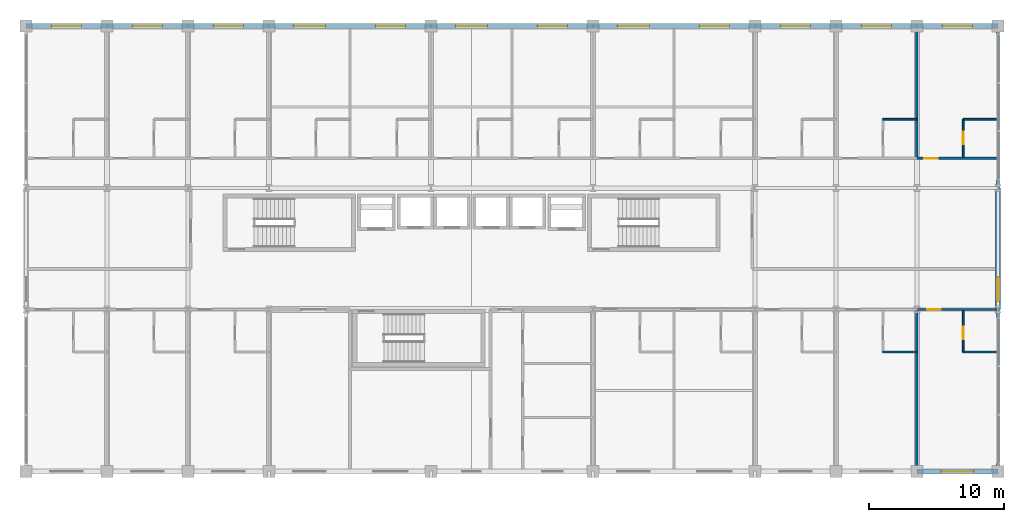
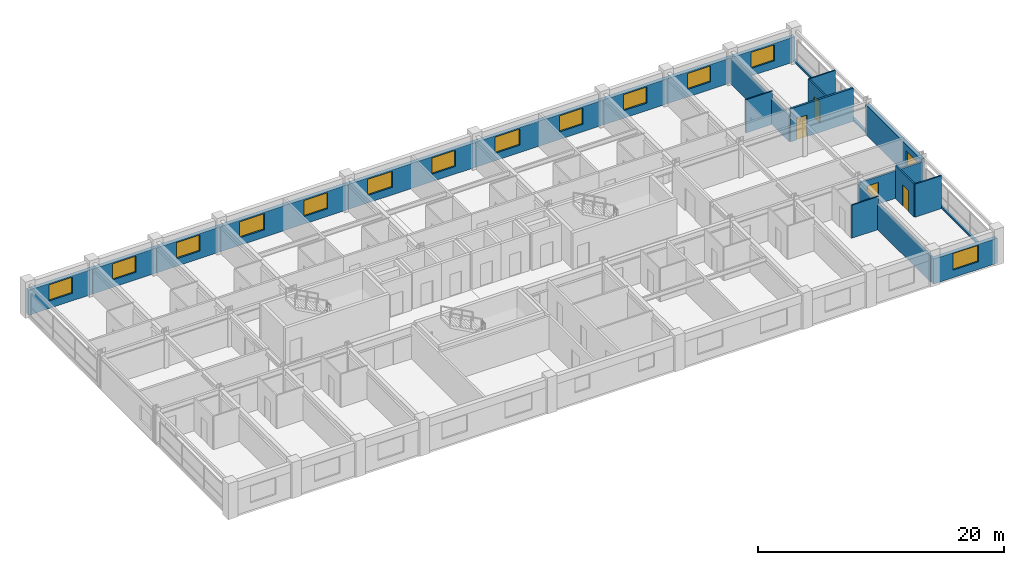
# One storey, part 20 of 22: 23 walls, 14 windows, 4 doors, 18 openings.
"""IFC4 building model written with IfcOpenShell, lengths in metres."""

import ifcopenshell
import ifcopenshell.guid

model = None  # the IFC model being written
_history = None  # IfcOwnerHistory: only IFC2X3 demands one
_inside = {}  # id of a spatial element -> (the spatial element, [elements in it])
_under = {}  # id of a project, library or spatial element -> (it, [spatial elements below it])
_declared = {}  # id of a project -> (the project, [libraries it declares])
_typed = {}  # id of a type object -> (the type object, [elements of that type])
_made_of = {}  # id of a material, layer set ... -> (it, [elements and type objects made of it])


def new_model(schema):
    """Start an empty IFC model of exactly this schema.

    Asked for "IFC4X3", IfcOpenShell would pick the latest addendum, in which some entities
    have other attributes; the version numbers below select the first issue.
    IFC2X3 requires an IfcOwnerHistory on every rooted entity: one is made here for all.
    """
    global model, _history
    if schema == "IFC4X3":
        model = ifcopenshell.file(schema_version=(4, 3, 0, 0))
    else:
        model = ifcopenshell.file(schema=schema)
    _inside.clear()
    _under.clear()
    _declared.clear()
    _typed.clear()
    _made_of.clear()
    _history = None
    if model.schema == "IFC2X3":
        org = make("IfcOrganization", Name="unknown")
        user = make(
            "IfcPersonAndOrganization",
            ThePerson=make("IfcPerson", FamilyName="unknown"),
            TheOrganization=org,
        )
        app = make(
            "IfcApplication",
            ApplicationDeveloper=org,
            Version="unknown",
            ApplicationFullName="unknown",
            ApplicationIdentifier="unknown",
        )
        _history = make(
            "IfcOwnerHistory",
            OwningUser=user,
            OwningApplication=app,
            ChangeAction="ADDED",
            CreationDate=0,
        )
    return model


def make(cls, **values):
    """One entity of the class cls with the attributes given. An attribute that is None is left unset."""
    return model.create_entity(
        cls, **{name: value for name, value in values.items() if value is not None}
    )


def rooted(cls, **values):
    """An entity with a GlobalId (a new one), such as an element, a storey or a relation."""
    return make(cls, GlobalId=ifcopenshell.guid.new(), OwnerHistory=_history, **values)


def si_unit(unit_type, name, prefix=None):
    """IfcSIUnit, for example si_unit("LENGTHUNIT", "METRE", prefix="MILLI")."""
    return make("IfcSIUnit", UnitType=unit_type, Prefix=prefix, Name=name)


def assignment(units):
    """IfcUnitAssignment: the units of a project."""
    return None if units is None else make("IfcUnitAssignment", Units=units)


def point(xyz):
    """IfcCartesianPoint."""
    return None if xyz is None else make("IfcCartesianPoint", Coordinates=xyz)


def direction(xyz):
    """IfcDirection."""
    return None if xyz is None else make("IfcDirection", DirectionRatios=xyz)


def frame(location, z_axis=None, x_axis=None):
    """IfcAxis2Placement3D, a coordinate frame: its origin and axes. An axis left out is left unset."""
    return make(
        "IfcAxis2Placement3D",
        Location=point(location),
        Axis=direction(z_axis),
        RefDirection=direction(x_axis),
    )


def frame_2d(location, x_axis=None):
    """IfcAxis2Placement2D, a coordinate frame in the plane: its origin and x axis."""
    return make(
        "IfcAxis2Placement2D", Location=point(location), RefDirection=direction(x_axis)
    )


def origin():
    """The frame at (0, 0, 0) with its axes left unset."""
    return frame((0.0, 0.0, 0.0))


def place(relative_to, where):
    """IfcLocalPlacement: puts the frame where relative to a parent placement (None: the world)."""
    return make(
        "IfcLocalPlacement", PlacementRelTo=relative_to, RelativePlacement=where
    )


def context(
    kind, dimensions, precision=None, world=None, true_north=None, identifier=None
):
    """IfcGeometricRepresentationContext, for example the 3D "Model" context."""
    return make(
        "IfcGeometricRepresentationContext",
        ContextIdentifier=identifier,
        ContextType=kind,
        CoordinateSpaceDimension=dimensions,
        Precision=precision,
        WorldCoordinateSystem=world,
        TrueNorth=true_north,
    )


def subcontext(parent, identifier, kind, view, scale=None):
    """IfcGeometricRepresentationSubContext, for example "Body" below "Model"."""
    return make(
        "IfcGeometricRepresentationSubContext",
        ContextIdentifier=identifier,
        ContextType=kind,
        ParentContext=parent,
        TargetScale=scale,
        TargetView=view,
    )


def project(units=None, contexts=None):
    """IfcProject with its units and contexts."""
    return rooted(
        "IfcProject",
        Name="project",
        RepresentationContexts=contexts,
        UnitsInContext=assignment(units),
    )


def spatial(cls, under=None, at=None, **own):
    """A site, building, storey or space (cls), placed at a placement, below another one or the project."""
    s = rooted(cls, ObjectPlacement=at, **own)
    if under is not None:
        _under.setdefault(under.id(), (under, []))[1].append(s)
    return s


def profile(cls, at=None, kind="AREA", **sizes):
    """A parametric profile (cls). Its sizes go by their IFC names, for example OverallWidth=200.0."""
    return make(cls, ProfileType=kind, Position=at, **sizes)


def rectangle(**sizes):
    """IfcRectangleProfileDef."""
    return profile("IfcRectangleProfileDef", **sizes)


def extrude(swept, where, along, depth):
    """IfcExtrudedAreaSolid: the profile swept, set in the frame where, extruded along a direction by depth."""
    return make(
        "IfcExtrudedAreaSolid",
        SweptArea=swept,
        Position=where,
        ExtrudedDirection=direction(along),
        Depth=depth,
    )


def shape(context_of_items, identifier, shape_type, items):
    """IfcShapeRepresentation: the items that make up one representation, for example the "Body"."""
    return make(
        "IfcShapeRepresentation",
        ContextOfItems=context_of_items,
        RepresentationIdentifier=identifier,
        RepresentationType=shape_type,
        Items=items,
    )


def material(Name=None, Category=None):
    """IfcMaterial."""
    return make("IfcMaterial", Name=Name, Category=Category)


def layer(
    of_material, thickness, ventilated=None, Name=None, Category=None, Priority=None
):
    """IfcMaterialLayer: one layer of a wall or slab, of a material (None: an air gap)."""
    return make(
        "IfcMaterialLayer",
        Material=of_material,
        LayerThickness=thickness,
        IsVentilated=ventilated,
        Name=Name,
        Category=Category,
        Priority=Priority,
    )


def layer_set(layers, Name=None):
    """IfcMaterialLayerSet."""
    return make("IfcMaterialLayerSet", MaterialLayers=layers, LayerSetName=Name)


def made_of(thing, what):
    """Note that an element or type object is made of a material, layer set ...; save() writes the relation."""
    if what is not None:
        _made_of.setdefault(what.id(), (what, []))[1].append(thing)
    return thing


def type_object(cls, material=None, **own):
    """A type object (cls), such as IfcWallType, which elements share."""
    return made_of(rooted(cls, **own), material)


def element(
    cls,
    number,
    at=None,
    inside=None,
    cuts=None,
    type_object=None,
    material=None,
    context=None,
    identifier="Body",
    shape_type=None,
    held_by="IfcProductDefinitionShape",
    body=None,
    shapes=None,
    **own,
):
    """One element of the class cls, such as IfcWall. Its Tag is "e" and its number.

    at: its placement. inside: the storey or other place that contains it. cuts: it is an
    opening in that element (IfcRelVoidsElement). A single representation is given by context,
    identifier, shape_type and body (its items); several are given by shapes. held_by: the class
    of the entity that holds the representations. save() writes the other relations.
    """
    e = rooted(cls, Tag="e%d" % number, ObjectPlacement=at, **own)
    if body is not None:
        shapes = [shape(context, identifier, shape_type, body)]
    if shapes is not None:
        e.Representation = make(held_by, Representations=shapes)
    if inside is not None:
        _inside.setdefault(inside.id(), (inside, []))[1].append(e)
    if cuts is not None:
        rooted(
            "IfcRelVoidsElement", RelatingBuildingElement=cuts, RelatedOpeningElement=e
        )
    if type_object is not None:
        _typed.setdefault(type_object.id(), (type_object, []))[1].append(e)
    return made_of(e, material)


def fill(opening, filler):
    """IfcRelFillsElement: the door or window that sits in an opening."""
    return rooted(
        "IfcRelFillsElement",
        RelatingOpeningElement=opening,
        RelatedBuildingElement=filler,
    )


def aggregate(whole, parts):
    """IfcRelAggregates: a whole, such as a stair, and the parts it consists of."""
    return rooted("IfcRelAggregates", RelatingObject=whole, RelatedObjects=parts)


def save(model, path):
    """Write the relations noted so far, then the file.

    IfcRelAggregates (storeys below a building ...), IfcRelContainedInSpatialStructure (elements
    in a storey), IfcRelDefinesByType, IfcRelAssociatesMaterial and IfcRelDeclares: one each for
    every whole, place, type object, material and project.
    """
    for whole, parts in _under.values():
        aggregate(whole, parts)
    for where, things in _inside.values():
        rooted(
            "IfcRelContainedInSpatialStructure",
            RelatedElements=things,
            RelatingStructure=where,
        )
    for kind, things in _typed.values():
        rooted("IfcRelDefinesByType", RelatedObjects=things, RelatingType=kind)
    for what, things in _made_of.values():
        rooted("IfcRelAssociatesMaterial", RelatedObjects=things, RelatingMaterial=what)
    for by, libraries in _declared.values():
        rooted("IfcRelDeclares", RelatingContext=by, RelatedDefinitions=libraries)
    model.write(path)


model = new_model("IFC4")

# Units and contexts
model_context = context("Model", 3, precision=1e-05, world=origin(), true_north=direction((0.0, 1.0)))
body_context = subcontext(model_context, "Body", "Model", "MODEL_VIEW")
ifc_project = project(units=[si_unit("LENGTHUNIT", "METRE"), si_unit("AREAUNIT", "SQUARE_METRE"), si_unit("VOLUMEUNIT", "CUBIC_METRE"), si_unit("PLANEANGLEUNIT", "RADIAN"), si_unit("MASSUNIT", "GRAM", prefix="KILO")], contexts=[model_context])

# Site, building, storey
site_placement = place(None, origin())
site = spatial("IfcSite", under=ifc_project, at=site_placement, CompositionType="ELEMENT")
building_placement = place(site_placement, origin())
building = spatial("IfcBuilding", under=site, at=building_placement, Name="Kaldorvane Square Convention Centre", CompositionType="ELEMENT")
storey_placement = place(building_placement, frame((0.0, 0.0, 34.80000305175781)))
storey = spatial("IfcBuildingStorey", under=building, at=storey_placement, Name="L07", CompositionType="ELEMENT", Elevation=34.80000305175781)

# Wall
ifc_material_1 = material(Name="Fire-Rated Gypsum Board on Acoustic Steel Studs", Category="steel")
ifc_layer_1 = layer(ifc_material_1, 0.125)
ifc_layer_set_1 = layer_set([ifc_layer_1], Name="Fire-Rated Gypsum Board on Acoustic Steel Studs")
wall_type_1 = type_object("IfcWallType", Name="WL-BATH-125", PredefinedType="PARTITIONING", material=ifc_layer_set_1)
wall_1_placement = place(storey_placement, frame((87.47999572753906, 110.10000610351562, 0.0), z_axis=(0.0, 0.0, 1.0), x_axis=(1.0, 0.0, 0.0)))
element("IfcWall", 1, at=wall_1_placement, inside=storey, type_object=wall_type_1, Name="En-Suite 711 North Wall", PredefinedType="PARTITIONING", context=body_context, shape_type="SweptSolid", body=[
    extrude(rectangle(XDim=2.5200042724609375, YDim=0.125, at=frame_2d((1.260009765625, 0.0))), origin(), (0.0, 0.0, 1.0), 3.2899932861328125),
])

# Wall, opening, door
wall_2_placement = place(storey_placement, frame((93.43499755859375, 107.28999328613281, 0.0), z_axis=(0.0, 0.0, 1.0), x_axis=(0.0, 1.0, 0.0)))
wall_2 = element("IfcWall", 2, at=wall_2_placement, inside=storey, type_object=wall_type_1, Name="En-Suite 712 West Wall", PredefinedType="PARTITIONING", context=body_context, shape_type="SweptSolid", body=[
    extrude(rectangle(XDim=2.8100128173828125, YDim=0.125, at=frame_2d((1.404998779296875, 0.0))), origin(), (0.0, 0.0, 1.0), 3.2899932861328125),
])
opening_1_placement = place(wall_2_placement, frame((0.9499969482421875, 0.0, 0.0)))
opening_1 = element("IfcOpeningElement", 3, at=opening_1_placement, cuts=wall_2, Name="Opening ID-12", PredefinedType="OPENING", context=body_context, shape_type="SweptSolid", body=[
    extrude(rectangle(XDim=0.9199981689453125, YDim=2.100006103515625, at=frame_2d((0.459991455078125, 1.0500030517578125))), frame((0.0, 0.0774993896484375, 0.0), z_axis=(0.0, -1.0, 0.0), x_axis=(1.0, 0.0, 0.0)), (0.0, 0.0, 1.0), 0.154998779296875),
])
ifc_material_2 = material(Name="Architectural Solid-Core White Oak")
door_type_1 = type_object("IfcDoorType", Name="DR-BATH-0920X2100", OperationType="SINGLE_SWING_RIGHT", PredefinedType="DOOR", material=ifc_material_2)
door_1_placement = place(opening_1_placement, origin())
door_1 = element("IfcDoor", 4, at=door_1_placement, inside=storey, type_object=door_type_1, Name="En-Suite Bathroom 712 Door", OperationType="SINGLE_SWING_RIGHT", OverallHeight=2.100006103515625, OverallWidth=0.9199981689453125, PredefinedType="DOOR", context=body_context, shape_type="SweptSolid", body=[
    extrude(rectangle(XDim=0.9199981689453125, YDim=2.100006103515625, at=frame_2d((0.459991455078125, 1.0500030517578125))), frame((0.0, 0.024993896484375, 0.0), z_axis=(0.0, -1.0, 0.0), x_axis=(1.0, 0.0, 0.0)), (0.0, 0.0, 1.0), 0.0500030517578125),
])
fill(opening_1, door_1)

# Walls
wall_3_placement = place(storey_placement, frame((93.43499755859375, 110.10000610351562, 0.0), z_axis=(0.0, 0.0, 1.0), x_axis=(1.0, 0.0, 0.0)))
element("IfcWall", 5, at=wall_3_placement, inside=storey, type_object=wall_type_1, Name="En-Suite 712 North Wall", PredefinedType="PARTITIONING", context=body_context, shape_type="SweptSolid", body=[
    extrude(rectangle(XDim=2.4799957275390625, YDim=0.125, at=frame_2d((1.239990234375, 0.0))), origin(), (0.0, 0.0, 1.0), 3.2899932861328125),
])
wall_4_placement = place(storey_placement, frame((87.47999572753906, 92.85000610351562, 0.0), z_axis=(0.0, 0.0, 1.0), x_axis=(1.0, 0.0, 0.0)))
element("IfcWall", 6, at=wall_4_placement, inside=storey, type_object=wall_type_1, Name="En-Suite 719 South Wall", PredefinedType="PARTITIONING", context=body_context, shape_type="SweptSolid", body=[
    extrude(rectangle(XDim=2.5200042724609375, YDim=0.125, at=frame_2d((1.260009765625, 0.0))), origin(), (0.0, 0.0, 1.0), 3.2899932861328125),
])

# Wall, opening, door
wall_5_placement = place(storey_placement, frame((93.43499755859375, 92.85000610351562, 0.0), z_axis=(0.0, 0.0, 1.0), x_axis=(0.0, 1.0, 0.0)))
wall_5 = element("IfcWall", 7, at=wall_5_placement, inside=storey, type_object=wall_type_1, Name="En-Suite 720 West Wall", PredefinedType="PARTITIONING", context=body_context, shape_type="SweptSolid", body=[
    extrude(rectangle(XDim=3.05999755859375, YDim=0.125, at=frame_2d((1.529998779296875, 0.0))), origin(), (0.0, 0.0, 1.0), 3.2899932861328125),
])
opening_2_placement = place(wall_5_placement, frame((0.9499969482421875, 0.0, 0.0)))
opening_2 = element("IfcOpeningElement", 8, at=opening_2_placement, cuts=wall_5, Name="Opening ID-12", PredefinedType="OPENING", context=body_context, shape_type="SweptSolid", body=[
    extrude(rectangle(XDim=0.9199981689453125, YDim=2.100006103515625, at=frame_2d((0.459991455078125, 1.0500030517578125))), frame((0.0, 0.0774993896484375, 0.0), z_axis=(0.0, -1.0, 0.0), x_axis=(1.0, 0.0, 0.0)), (0.0, 0.0, 1.0), 0.154998779296875),
])
door_2_placement = place(opening_2_placement, origin())
door_2 = element("IfcDoor", 9, at=door_2_placement, inside=storey, type_object=door_type_1, Name="En-Suite Bathroom 720 Door", OperationType="SINGLE_SWING_RIGHT", OverallHeight=2.100006103515625, OverallWidth=0.9199981689453125, PredefinedType="DOOR", context=body_context, shape_type="SweptSolid", body=[
    extrude(rectangle(XDim=0.9199981689453125, YDim=2.100006103515625, at=frame_2d((0.459991455078125, 1.0500030517578125))), frame((0.0, 0.024993896484375, 0.0), z_axis=(0.0, -1.0, 0.0), x_axis=(1.0, 0.0, 0.0)), (0.0, 0.0, 1.0), 0.0500030517578125),
])
fill(opening_2, door_2)

# Wall
wall_6_placement = place(storey_placement, frame((93.43499755859375, 92.85000610351562, 0.0), z_axis=(0.0, 0.0, 1.0), x_axis=(1.0, 0.0, 0.0)))
element("IfcWall", 10, at=wall_6_placement, inside=storey, type_object=wall_type_1, Name="En-Suite 720 South Wall", PredefinedType="PARTITIONING", context=body_context, shape_type="SweptSolid", body=[
    extrude(rectangle(XDim=2.4799957275390625, YDim=0.125, at=frame_2d((1.239990234375, 0.0))), origin(), (0.0, 0.0, 1.0), 3.2899932861328125),
])

# Wall, opening, window
ifc_material_3 = material(Name="Concrete f'c = 42 MPa (Normalweight)", Category="concrete")
ifc_layer_2 = layer(ifc_material_3, 0.350006103515625)
ifc_layer_set_2 = layer_set([ifc_layer_2], Name="Concrete f'c = 42 MPa (Normalweight)")
wall_type_2 = type_object("IfcWallType", Name="WL-EXT-350", PredefinedType="STANDARD", material=ifc_layer_set_2)
wall_7_placement = place(storey_placement, frame((90.0, 84.0, 0.0), z_axis=(0.0, 0.0, 1.0), x_axis=(1.0, 0.0, 0.0)))
wall_7 = element("IfcWall", 11, at=wall_7_placement, inside=storey, type_object=wall_type_2, Name="Hotel S Brutalist Facade Wall (L07)", PredefinedType="STANDARD", context=body_context, shape_type="SweptSolid", body=[
    extrude(rectangle(XDim=6.0, YDim=0.350006103515625, at=frame_2d((3.0, 0.0))), origin(), (0.0, 0.0, 1.0), 2.485992431640625),
])
opening_3_placement = place(wall_7_placement, frame((1.8000030517578125, 0.0, 0.75)))
opening_3 = element("IfcOpeningElement", 12, at=opening_3_placement, cuts=wall_7, Name="Opening W-01", PredefinedType="OPENING", context=body_context, shape_type="SweptSolid", body=[
    extrude(rectangle(XDim=2.399993896484375, YDim=1.649993896484375, at=frame_2d((1.1999969482421875, 0.8249969482421875))), frame((0.0, 0.19000244140625, 0.0), z_axis=(0.0, -1.0, 0.0), x_axis=(1.0, 0.0, 0.0)), (0.0, 0.0, 1.0), 0.3800048828125),
])
ifc_material_4 = material(Name="Anodized Aluminum and Low-E Insulated Glazing", Category="aluminium")
window_type_1 = type_object("IfcWindowType", Name="WN-HTL-2400X1650", PartitioningType="DOUBLE_PANEL_VERTICAL", PredefinedType="WINDOW", material=ifc_material_4)
window_1_placement = place(opening_3_placement, origin())
window_1 = element("IfcWindow", 13, at=window_1_placement, inside=storey, type_object=window_type_1, Name="Hotel S Window (L07)", OverallHeight=1.649993896484375, OverallWidth=2.399993896484375, PartitioningType="DOUBLE_PANEL_VERTICAL", PredefinedType="WINDOW", context=body_context, shape_type="SweptSolid", body=[
    extrude(rectangle(XDim=2.399993896484375, YDim=1.649993896484375, at=frame_2d((1.1999969482421875, 0.8249969482421875))), frame((0.0, 0.029998779296875, 0.0), z_axis=(0.0, -1.0, 0.0), x_axis=(1.0, 0.0, 0.0)), (0.0, 0.0, 1.0), 0.05999755859375),
])
fill(opening_3, window_1)

wall_8_placement = place(storey_placement, frame((30.0, 117.0, 0.0), z_axis=(0.0, 0.0, 1.0), x_axis=(-1.0, 0.0, 0.0)))
wall_8 = element("IfcWall", 14, at=wall_8_placement, inside=storey, type_object=wall_type_2, Name="Hotel N Brutalist Facade Wall (L07)", PredefinedType="STANDARD", context=body_context, shape_type="SweptSolid", body=[
    extrude(rectangle(XDim=6.0, YDim=0.350006103515625, at=frame_2d((3.0, 0.0))), origin(), (0.0, 0.0, 1.0), 2.485992431640625),
])
opening_4_placement = place(wall_8_placement, frame((1.899993896484375, 0.0, 0.75)))
opening_4 = element("IfcOpeningElement", 15, at=opening_4_placement, cuts=wall_8, Name="Opening W-07", PredefinedType="OPENING", context=body_context, shape_type="SweptSolid", body=[
    extrude(rectangle(XDim=2.1999969482421875, YDim=1.600006103515625, at=frame_2d((1.100006103515625, 0.8000030517578125))), frame((0.0, 0.19000244140625, 0.0), z_axis=(0.0, -1.0, 0.0), x_axis=(1.0, 0.0, 0.0)), (0.0, 0.0, 1.0), 0.3800048828125),
])
window_type_2 = type_object("IfcWindowType", Name="WN-HTL-2200X1600", PartitioningType="DOUBLE_PANEL_VERTICAL", PredefinedType="WINDOW", material=ifc_material_4)
window_2_placement = place(opening_4_placement, origin())
window_2 = element("IfcWindow", 16, at=window_2_placement, inside=storey, type_object=window_type_2, Name="Hotel N Window (L07)", OverallHeight=1.600006103515625, OverallWidth=2.1999969482421875, PartitioningType="DOUBLE_PANEL_VERTICAL", PredefinedType="WINDOW", context=body_context, shape_type="SweptSolid", body=[
    extrude(rectangle(XDim=2.1999969482421875, YDim=1.600006103515625, at=frame_2d((1.100006103515625, 0.8000030517578125))), frame((0.0, 0.029998779296875, 0.0), z_axis=(0.0, -1.0, 0.0), x_axis=(1.0, 0.0, 0.0)), (0.0, 0.0, 1.0), 0.05999755859375),
])
fill(opening_4, window_2)

wall_9_placement = place(storey_placement, frame((36.0, 117.0, 0.0), z_axis=(0.0, 0.0, 1.0), x_axis=(-1.0, 0.0, 0.0)))
wall_9 = element("IfcWall", 17, at=wall_9_placement, inside=storey, type_object=wall_type_2, Name="Hotel N Brutalist Facade Wall (L07)", PredefinedType="STANDARD", context=body_context, shape_type="SweptSolid", body=[
    extrude(rectangle(XDim=6.0, YDim=0.350006103515625, at=frame_2d((3.0, 0.0))), origin(), (0.0, 0.0, 1.0), 2.485992431640625),
])
opening_5_placement = place(wall_9_placement, frame((1.899993896484375, 0.0, 0.75)))
opening_5 = element("IfcOpeningElement", 18, at=opening_5_placement, cuts=wall_9, Name="Opening W-07", PredefinedType="OPENING", context=body_context, shape_type="SweptSolid", body=[
    extrude(rectangle(XDim=2.1999969482421875, YDim=1.600006103515625, at=frame_2d((1.100006103515625, 0.8000030517578125))), frame((0.0, 0.19000244140625, 0.0), z_axis=(0.0, -1.0, 0.0), x_axis=(1.0, 0.0, 0.0)), (0.0, 0.0, 1.0), 0.3800048828125),
])
window_3_placement = place(opening_5_placement, origin())
window_3 = element("IfcWindow", 19, at=window_3_placement, inside=storey, type_object=window_type_2, Name="Hotel N Window (L07)", OverallHeight=1.600006103515625, OverallWidth=2.1999969482421875, PartitioningType="DOUBLE_PANEL_VERTICAL", PredefinedType="WINDOW", context=body_context, shape_type="SweptSolid", body=[
    extrude(rectangle(XDim=2.1999969482421875, YDim=1.600006103515625, at=frame_2d((1.100006103515625, 0.8000030517578125))), frame((0.0, 0.029998779296875, 0.0), z_axis=(0.0, -1.0, 0.0), x_axis=(1.0, 0.0, 0.0)), (0.0, 0.0, 1.0), 0.05999755859375),
])
fill(opening_5, window_3)

wall_10_placement = place(storey_placement, frame((42.0, 117.0, 0.0), z_axis=(0.0, 0.0, 1.0), x_axis=(-1.0, 0.0, 0.0)))
wall_10 = element("IfcWall", 20, at=wall_10_placement, inside=storey, type_object=wall_type_2, Name="Hotel N Brutalist Facade Wall (L07)", PredefinedType="STANDARD", context=body_context, shape_type="SweptSolid", body=[
    extrude(rectangle(XDim=6.0, YDim=0.350006103515625, at=frame_2d((3.0, 0.0))), origin(), (0.0, 0.0, 1.0), 2.485992431640625),
])
opening_6_placement = place(wall_10_placement, frame((1.899993896484375, 0.0, 0.75)))
opening_6 = element("IfcOpeningElement", 21, at=opening_6_placement, cuts=wall_10, Name="Opening W-07", PredefinedType="OPENING", context=body_context, shape_type="SweptSolid", body=[
    extrude(rectangle(XDim=2.1999969482421875, YDim=1.600006103515625, at=frame_2d((1.100006103515625, 0.8000030517578125))), frame((0.0, 0.19000244140625, 0.0), z_axis=(0.0, -1.0, 0.0), x_axis=(1.0, 0.0, 0.0)), (0.0, 0.0, 1.0), 0.3800048828125),
])
window_4_placement = place(opening_6_placement, origin())
window_4 = element("IfcWindow", 22, at=window_4_placement, inside=storey, type_object=window_type_2, Name="Hotel N Window (L07)", OverallHeight=1.600006103515625, OverallWidth=2.1999969482421875, PartitioningType="DOUBLE_PANEL_VERTICAL", PredefinedType="WINDOW", context=body_context, shape_type="SweptSolid", body=[
    extrude(rectangle(XDim=2.1999969482421875, YDim=1.600006103515625, at=frame_2d((1.100006103515625, 0.8000030517578125))), frame((0.0, 0.029998779296875, 0.0), z_axis=(0.0, -1.0, 0.0), x_axis=(1.0, 0.0, 0.0)), (0.0, 0.0, 1.0), 0.05999755859375),
])
fill(opening_6, window_4)

# Wall, openings, windows
wall_11_placement = place(storey_placement, frame((54.0, 117.0, 0.0), z_axis=(0.0, 0.0, 1.0), x_axis=(-1.0, 0.0, 0.0)))
wall_11 = element("IfcWall", 23, at=wall_11_placement, inside=storey, type_object=wall_type_2, Name="Hotel N Brutalist Facade Wall (L07)", PredefinedType="STANDARD", context=body_context, shape_type="SweptSolid", body=[
    extrude(rectangle(XDim=12.0, YDim=0.350006103515625, at=frame_2d((6.0, 0.0))), origin(), (0.0, 0.0, 1.0), 2.485992431640625),
])
opening_7_placement = place(wall_11_placement, frame((1.899993896484375, 0.0, 0.75)))
opening_7 = element("IfcOpeningElement", 24, at=opening_7_placement, cuts=wall_11, Name="Opening W-07", PredefinedType="OPENING", context=body_context, shape_type="SweptSolid", body=[
    extrude(rectangle(XDim=2.1999969482421875, YDim=1.600006103515625, at=frame_2d((1.100006103515625, 0.8000030517578125))), frame((0.0, 0.19000244140625, 0.0), z_axis=(0.0, -1.0, 0.0), x_axis=(1.0, 0.0, 0.0)), (0.0, 0.0, 1.0), 0.3800048828125),
])
opening_8_placement = place(wall_11_placement, frame((7.8249969482421875, 0.0, 0.75)))
opening_8 = element("IfcOpeningElement", 25, at=opening_8_placement, cuts=wall_11, Name="Opening W-08", PredefinedType="OPENING", context=body_context, shape_type="SweptSolid", body=[
    extrude(rectangle(XDim=2.350006103515625, YDim=1.600006103515625, at=frame_2d((1.1750030517578125, 0.8000030517578125))), frame((0.0, 0.19000244140625, 0.0), z_axis=(0.0, -1.0, 0.0), x_axis=(1.0, 0.0, 0.0)), (0.0, 0.0, 1.0), 0.3800048828125),
])
window_5_placement = place(opening_7_placement, origin())
window_5 = element("IfcWindow", 26, at=window_5_placement, inside=storey, type_object=window_type_2, Name="Hotel N Window (L07)", OverallHeight=1.600006103515625, OverallWidth=2.1999969482421875, PartitioningType="DOUBLE_PANEL_VERTICAL", PredefinedType="WINDOW", context=body_context, shape_type="SweptSolid", body=[
    extrude(rectangle(XDim=2.1999969482421875, YDim=1.600006103515625, at=frame_2d((1.100006103515625, 0.8000030517578125))), frame((0.0, 0.029998779296875, 0.0), z_axis=(0.0, -1.0, 0.0), x_axis=(1.0, 0.0, 0.0)), (0.0, 0.0, 1.0), 0.05999755859375),
])
fill(opening_7, window_5)
window_type_3 = type_object("IfcWindowType", Name="WN-HTL-2350X1600", PartitioningType="DOUBLE_PANEL_VERTICAL", PredefinedType="WINDOW", material=ifc_material_4)
window_6_placement = place(opening_8_placement, origin())
window_6 = element("IfcWindow", 27, at=window_6_placement, inside=storey, type_object=window_type_3, Name="Hotel N Window (L07)", OverallHeight=1.600006103515625, OverallWidth=2.350006103515625, PartitioningType="DOUBLE_PANEL_VERTICAL", PredefinedType="WINDOW", context=body_context, shape_type="SweptSolid", body=[
    extrude(rectangle(XDim=2.350006103515625, YDim=1.600006103515625, at=frame_2d((1.1750030517578125, 0.8000030517578125))), frame((0.0, 0.029998779296875, 0.0), z_axis=(0.0, -1.0, 0.0), x_axis=(1.0, 0.0, 0.0)), (0.0, 0.0, 1.0), 0.05999755859375),
])
fill(opening_8, window_6)

wall_12_placement = place(storey_placement, frame((66.0, 117.0, 0.0), z_axis=(0.0, 0.0, 1.0), x_axis=(-1.0, 0.0, 0.0)))
wall_12 = element("IfcWall", 28, at=wall_12_placement, inside=storey, type_object=wall_type_2, Name="Hotel N Brutalist Facade Wall (L07)", PredefinedType="STANDARD", context=body_context, shape_type="SweptSolid", body=[
    extrude(rectangle(XDim=12.0, YDim=0.350006103515625, at=frame_2d((6.0, 0.0))), origin(), (0.0, 0.0, 1.0), 2.485992431640625),
])
opening_9_placement = place(wall_12_placement, frame((1.899993896484375, 0.0, 0.75)))
opening_9 = element("IfcOpeningElement", 29, at=opening_9_placement, cuts=wall_12, Name="Opening W-07", PredefinedType="OPENING", context=body_context, shape_type="SweptSolid", body=[
    extrude(rectangle(XDim=2.1999969482421875, YDim=1.600006103515625, at=frame_2d((1.100006103515625, 0.8000030517578125))), frame((0.0, 0.19000244140625, 0.0), z_axis=(0.0, -1.0, 0.0), x_axis=(1.0, 0.0, 0.0)), (0.0, 0.0, 1.0), 0.3800048828125),
])
opening_10_placement = place(wall_12_placement, frame((7.8249969482421875, 0.0, 0.75)))
opening_10 = element("IfcOpeningElement", 30, at=opening_10_placement, cuts=wall_12, Name="Opening W-08", PredefinedType="OPENING", context=body_context, shape_type="SweptSolid", body=[
    extrude(rectangle(XDim=2.350006103515625, YDim=1.600006103515625, at=frame_2d((1.1750030517578125, 0.8000030517578125))), frame((0.0, 0.19000244140625, 0.0), z_axis=(0.0, -1.0, 0.0), x_axis=(1.0, 0.0, 0.0)), (0.0, 0.0, 1.0), 0.3800048828125),
])
window_7_placement = place(opening_9_placement, origin())
window_7 = element("IfcWindow", 31, at=window_7_placement, inside=storey, type_object=window_type_2, Name="Hotel N Window (L07)", OverallHeight=1.600006103515625, OverallWidth=2.1999969482421875, PartitioningType="DOUBLE_PANEL_VERTICAL", PredefinedType="WINDOW", context=body_context, shape_type="SweptSolid", body=[
    extrude(rectangle(XDim=2.1999969482421875, YDim=1.600006103515625, at=frame_2d((1.100006103515625, 0.8000030517578125))), frame((0.0, 0.029998779296875, 0.0), z_axis=(0.0, -1.0, 0.0), x_axis=(1.0, 0.0, 0.0)), (0.0, 0.0, 1.0), 0.05999755859375),
])
fill(opening_9, window_7)
window_8_placement = place(opening_10_placement, origin())
window_8 = element("IfcWindow", 32, at=window_8_placement, inside=storey, type_object=window_type_3, Name="Hotel N Window (L07)", OverallHeight=1.600006103515625, OverallWidth=2.350006103515625, PartitioningType="DOUBLE_PANEL_VERTICAL", PredefinedType="WINDOW", context=body_context, shape_type="SweptSolid", body=[
    extrude(rectangle(XDim=2.350006103515625, YDim=1.600006103515625, at=frame_2d((1.1750030517578125, 0.8000030517578125))), frame((0.0, 0.029998779296875, 0.0), z_axis=(0.0, -1.0, 0.0), x_axis=(1.0, 0.0, 0.0)), (0.0, 0.0, 1.0), 0.05999755859375),
])
fill(opening_10, window_8)

wall_13_placement = place(storey_placement, frame((78.0, 117.0, 0.0), z_axis=(0.0, 0.0, 1.0), x_axis=(-1.0, 0.0, 0.0)))
wall_13 = element("IfcWall", 33, at=wall_13_placement, inside=storey, type_object=wall_type_2, Name="Hotel N Brutalist Facade Wall (L07)", PredefinedType="STANDARD", context=body_context, shape_type="SweptSolid", body=[
    extrude(rectangle(XDim=12.0, YDim=0.350006103515625, at=frame_2d((6.0, 0.0))), origin(), (0.0, 0.0, 1.0), 2.485992431640625),
])
opening_11_placement = place(wall_13_placement, frame((1.899993896484375, 0.0, 0.75)))
opening_11 = element("IfcOpeningElement", 34, at=opening_11_placement, cuts=wall_13, Name="Opening W-07", PredefinedType="OPENING", context=body_context, shape_type="SweptSolid", body=[
    extrude(rectangle(XDim=2.1999969482421875, YDim=1.600006103515625, at=frame_2d((1.100006103515625, 0.8000030517578125))), frame((0.0, 0.19000244140625, 0.0), z_axis=(0.0, -1.0, 0.0), x_axis=(1.0, 0.0, 0.0)), (0.0, 0.0, 1.0), 0.3800048828125),
])
opening_12_placement = place(wall_13_placement, frame((7.8249969482421875, 0.0, 0.75)))
opening_12 = element("IfcOpeningElement", 35, at=opening_12_placement, cuts=wall_13, Name="Opening W-08", PredefinedType="OPENING", context=body_context, shape_type="SweptSolid", body=[
    extrude(rectangle(XDim=2.350006103515625, YDim=1.600006103515625, at=frame_2d((1.1750030517578125, 0.8000030517578125))), frame((0.0, 0.19000244140625, 0.0), z_axis=(0.0, -1.0, 0.0), x_axis=(1.0, 0.0, 0.0)), (0.0, 0.0, 1.0), 0.3800048828125),
])
window_9_placement = place(opening_11_placement, origin())
window_9 = element("IfcWindow", 36, at=window_9_placement, inside=storey, type_object=window_type_2, Name="Hotel N Window (L07)", OverallHeight=1.600006103515625, OverallWidth=2.1999969482421875, PartitioningType="DOUBLE_PANEL_VERTICAL", PredefinedType="WINDOW", context=body_context, shape_type="SweptSolid", body=[
    extrude(rectangle(XDim=2.1999969482421875, YDim=1.600006103515625, at=frame_2d((1.100006103515625, 0.8000030517578125))), frame((0.0, 0.029998779296875, 0.0), z_axis=(0.0, -1.0, 0.0), x_axis=(1.0, 0.0, 0.0)), (0.0, 0.0, 1.0), 0.05999755859375),
])
fill(opening_11, window_9)
window_10_placement = place(opening_12_placement, origin())
window_10 = element("IfcWindow", 37, at=window_10_placement, inside=storey, type_object=window_type_3, Name="Hotel N Window (L07)", OverallHeight=1.600006103515625, OverallWidth=2.350006103515625, PartitioningType="DOUBLE_PANEL_VERTICAL", PredefinedType="WINDOW", context=body_context, shape_type="SweptSolid", body=[
    extrude(rectangle(XDim=2.350006103515625, YDim=1.600006103515625, at=frame_2d((1.1750030517578125, 0.8000030517578125))), frame((0.0, 0.029998779296875, 0.0), z_axis=(0.0, -1.0, 0.0), x_axis=(1.0, 0.0, 0.0)), (0.0, 0.0, 1.0), 0.05999755859375),
])
fill(opening_12, window_10)

# Wall, opening, window
wall_14_placement = place(storey_placement, frame((84.0, 117.0, 0.0), z_axis=(0.0, 0.0, 1.0), x_axis=(-1.0, 0.0, 0.0)))
wall_14 = element("IfcWall", 38, at=wall_14_placement, inside=storey, type_object=wall_type_2, Name="Hotel N Brutalist Facade Wall (L07)", PredefinedType="STANDARD", context=body_context, shape_type="SweptSolid", body=[
    extrude(rectangle(XDim=6.0, YDim=0.350006103515625, at=frame_2d((3.0, 0.0))), origin(), (0.0, 0.0, 1.0), 2.485992431640625),
])
opening_13_placement = place(wall_14_placement, frame((1.899993896484375, 0.0, 0.75)))
opening_13 = element("IfcOpeningElement", 39, at=opening_13_placement, cuts=wall_14, Name="Opening W-07", PredefinedType="OPENING", context=body_context, shape_type="SweptSolid", body=[
    extrude(rectangle(XDim=2.1999969482421875, YDim=1.600006103515625, at=frame_2d((1.100006103515625, 0.8000030517578125))), frame((0.0, 0.19000244140625, 0.0), z_axis=(0.0, -1.0, 0.0), x_axis=(1.0, 0.0, 0.0)), (0.0, 0.0, 1.0), 0.3800048828125),
])
window_11_placement = place(opening_13_placement, origin())
window_11 = element("IfcWindow", 40, at=window_11_placement, inside=storey, type_object=window_type_2, Name="Hotel N Window (L07)", OverallHeight=1.600006103515625, OverallWidth=2.1999969482421875, PartitioningType="DOUBLE_PANEL_VERTICAL", PredefinedType="WINDOW", context=body_context, shape_type="SweptSolid", body=[
    extrude(rectangle(XDim=2.1999969482421875, YDim=1.600006103515625, at=frame_2d((1.100006103515625, 0.8000030517578125))), frame((0.0, 0.029998779296875, 0.0), z_axis=(0.0, -1.0, 0.0), x_axis=(1.0, 0.0, 0.0)), (0.0, 0.0, 1.0), 0.05999755859375),
])
fill(opening_13, window_11)

wall_15_placement = place(storey_placement, frame((90.0, 117.0, 0.0), z_axis=(0.0, 0.0, 1.0), x_axis=(-1.0, 0.0, 0.0)))
wall_15 = element("IfcWall", 41, at=wall_15_placement, inside=storey, type_object=wall_type_2, Name="Hotel N Brutalist Facade Wall (L07)", PredefinedType="STANDARD", context=body_context, shape_type="SweptSolid", body=[
    extrude(rectangle(XDim=6.0, YDim=0.350006103515625, at=frame_2d((3.0, 0.0))), origin(), (0.0, 0.0, 1.0), 2.485992431640625),
])
opening_14_placement = place(wall_15_placement, frame((1.899993896484375, 0.0, 0.75)))
opening_14 = element("IfcOpeningElement", 42, at=opening_14_placement, cuts=wall_15, Name="Opening W-07", PredefinedType="OPENING", context=body_context, shape_type="SweptSolid", body=[
    extrude(rectangle(XDim=2.1999969482421875, YDim=1.600006103515625, at=frame_2d((1.100006103515625, 0.8000030517578125))), frame((0.0, 0.19000244140625, 0.0), z_axis=(0.0, -1.0, 0.0), x_axis=(1.0, 0.0, 0.0)), (0.0, 0.0, 1.0), 0.3800048828125),
])
window_12_placement = place(opening_14_placement, origin())
window_12 = element("IfcWindow", 43, at=window_12_placement, inside=storey, type_object=window_type_2, Name="Hotel N Window (L07)", OverallHeight=1.600006103515625, OverallWidth=2.1999969482421875, PartitioningType="DOUBLE_PANEL_VERTICAL", PredefinedType="WINDOW", context=body_context, shape_type="SweptSolid", body=[
    extrude(rectangle(XDim=2.1999969482421875, YDim=1.600006103515625, at=frame_2d((1.100006103515625, 0.8000030517578125))), frame((0.0, 0.029998779296875, 0.0), z_axis=(0.0, -1.0, 0.0), x_axis=(1.0, 0.0, 0.0)), (0.0, 0.0, 1.0), 0.05999755859375),
])
fill(opening_14, window_12)

wall_16_placement = place(storey_placement, frame((96.0, 117.0, 0.0), z_axis=(0.0, 0.0, 1.0), x_axis=(-1.0, 0.0, 0.0)))
wall_16 = element("IfcWall", 44, at=wall_16_placement, inside=storey, type_object=wall_type_2, Name="Hotel N Brutalist Facade Wall (L07)", PredefinedType="STANDARD", context=body_context, shape_type="SweptSolid", body=[
    extrude(rectangle(XDim=6.0, YDim=0.350006103515625, at=frame_2d((3.0, 0.0))), origin(), (0.0, 0.0, 1.0), 2.485992431640625),
])
opening_15_placement = place(wall_16_placement, frame((1.899993896484375, 0.0, 0.75)))
opening_15 = element("IfcOpeningElement", 45, at=opening_15_placement, cuts=wall_16, Name="Opening W-07", PredefinedType="OPENING", context=body_context, shape_type="SweptSolid", body=[
    extrude(rectangle(XDim=2.1999969482421875, YDim=1.600006103515625, at=frame_2d((1.100006103515625, 0.8000030517578125))), frame((0.0, 0.19000244140625, 0.0), z_axis=(0.0, -1.0, 0.0), x_axis=(1.0, 0.0, 0.0)), (0.0, 0.0, 1.0), 0.3800048828125),
])
window_13_placement = place(opening_15_placement, origin())
window_13 = element("IfcWindow", 46, at=window_13_placement, inside=storey, type_object=window_type_2, Name="Hotel N Window (L07)", OverallHeight=1.600006103515625, OverallWidth=2.1999969482421875, PartitioningType="DOUBLE_PANEL_VERTICAL", PredefinedType="WINDOW", context=body_context, shape_type="SweptSolid", body=[
    extrude(rectangle(XDim=2.1999969482421875, YDim=1.600006103515625, at=frame_2d((1.100006103515625, 0.8000030517578125))), frame((0.0, 0.029998779296875, 0.0), z_axis=(0.0, -1.0, 0.0), x_axis=(1.0, 0.0, 0.0)), (0.0, 0.0, 1.0), 0.05999755859375),
])
fill(opening_15, window_13)

wall_17_placement = place(storey_placement, frame((96.0, 96.0, 0.0), z_axis=(0.0, 0.0, 1.0), x_axis=(0.0, 1.0, 0.0)))
wall_17 = element("IfcWall", 47, at=wall_17_placement, inside=storey, type_object=wall_type_2, Name="Hotel E End Wall (L07)", PredefinedType="STANDARD", context=body_context, shape_type="SweptSolid", body=[
    extrude(rectangle(XDim=9.0, YDim=0.350006103515625, at=frame_2d((4.5, 0.0))), origin(), (0.0, 0.0, 1.0), 2.9810028076171875),
])
opening_16_placement = place(wall_17_placement, frame((0.600006103515625, 0.0, 0.850006103515625)))
opening_16 = element("IfcOpeningElement", 48, at=opening_16_placement, cuts=wall_17, Name="Opening W-11", PredefinedType="OPENING", context=body_context, shape_type="SweptSolid", body=[
    extrude(rectangle(XDim=1.8000030517578125, YDim=1.5, at=frame_2d((0.899993896484375, 0.75))), frame((0.0, 0.19000244140625, 0.0), z_axis=(0.0, -1.0, 0.0), x_axis=(1.0, 0.0, 0.0)), (0.0, 0.0, 1.0), 0.3800048828125),
])
window_type_4 = type_object("IfcWindowType", Name="WN-HTL-1800X1500", PartitioningType="SINGLE_PANEL", PredefinedType="WINDOW", material=ifc_material_4)
window_14_placement = place(opening_16_placement, origin())
window_14 = element("IfcWindow", 49, at=window_14_placement, inside=storey, type_object=window_type_4, Name="Hotel End Window E (L07)", OverallHeight=1.5, OverallWidth=1.8000030517578125, PartitioningType="SINGLE_PANEL", PredefinedType="WINDOW", context=body_context, shape_type="SweptSolid", body=[
    extrude(rectangle(XDim=1.8000030517578125, YDim=1.5, at=frame_2d((0.899993896484375, 0.75))), frame((0.0, 0.029998779296875, 0.0), z_axis=(0.0, -1.0, 0.0), x_axis=(1.0, 0.0, 0.0)), (0.0, 0.0, 1.0), 0.05999755859375),
])
fill(opening_16, window_14)

# Walls
ifc_material_5 = material(Name="Concrete f'c = 35 MPa (Normalweight)", Category="concrete")
ifc_layer_3 = layer(ifc_material_5, 0.220001220703125)
ifc_layer_set_3 = layer_set([ifc_layer_3], Name="Concrete f'c = 35 MPa (Normalweight)")
wall_type_3 = type_object("IfcWallType", Name="WL-PAR-220", PredefinedType="PARAPET", material=ifc_layer_set_3)
for number, where, z_axis, x_axis, name in (
    (50, (96.0, 84.0, 0.0), (0.0, 0.0, 1.0), (0.0, 1.0, 0.0), "Hotel End Curtain-Wall Sill (L07)"),
    (51, (96.0, 105.0, 0.0), (0.0, 0.0, 1.0), (0.0, 1.0, 0.0), "Hotel End Curtain-Wall Sill (L07)"),
):
    element("IfcWall", number, at=place(storey_placement, frame(where, z_axis=z_axis, x_axis=x_axis)), inside=storey, type_object=wall_type_3, Name=name, PredefinedType="PARAPET", context=body_context, shape_type="SweptSolid", body=[
        extrude(rectangle(XDim=12.0, YDim=0.220001220703125, at=frame_2d((6.0, 0.0))), origin(), (0.0, 0.0, 1.0), 0.1999969482421875),
    ])
ifc_layer_4 = layer(ifc_material_1, 0.17999267578125)
ifc_layer_set_4 = layer_set([ifc_layer_4], Name="Fire-Rated Gypsum Board on Acoustic Steel Studs")
wall_type_4 = type_object("IfcWallType", Name="WL-UNIT-180", PredefinedType="PARTITIONING", material=ifc_layer_set_4)
wall_18_placement = place(storey_placement, frame((90.0, 107.19999694824219, 0.0), z_axis=(0.0, 0.0, 1.0), x_axis=(0.0, 1.0, 0.0)))
element("IfcWall", 52, at=wall_18_placement, inside=storey, type_object=wall_type_4, Name="Guestroom Demising Wall 711", PredefinedType="PARTITIONING", context=body_context, shape_type="SweptSolid", body=[
    extrude(rectangle(XDim=9.625, YDim=0.17999267578125, at=frame_2d((4.8125, 0.0))), origin(), (0.0, 0.0, 1.0), 2.589996337890625),
])

# Wall, opening, door
wall_19_placement = place(storey_placement, frame((90.0, 107.19999694824219, 0.0), z_axis=(0.0, 0.0, 1.0), x_axis=(1.0, 0.0, 0.0)))
wall_19 = element("IfcWall", 53, at=wall_19_placement, inside=storey, type_object=wall_type_4, Name="Hotel Guest Room 712 Corridor Wall", PredefinedType="PARTITIONING", context=body_context, shape_type="SweptSolid", body=[
    extrude(rectangle(XDim=5.9149932861328125, YDim=0.17999267578125, at=frame_2d((2.957489013671875, 0.0))), origin(), (0.0, 0.0, 1.0), 3.2899932861328125),
])
opening_17_placement = place(wall_19_placement, frame((0.5500030517578125, 0.0, 0.0)))
opening_17 = element("IfcOpeningElement", 54, at=opening_17_placement, cuts=wall_19, Name="Opening ID-10", PredefinedType="OPENING", context=body_context, shape_type="SweptSolid", body=[
    extrude(rectangle(XDim=1.0, YDim=2.149993896484375, at=frame_2d((0.5, 1.0749969482421875))), frame((0.0, 0.1049957275390625, 0.0), z_axis=(0.0, -1.0, 0.0), x_axis=(1.0, 0.0, 0.0)), (0.0, 0.0, 1.0), 0.209991455078125),
])
door_type_2 = type_object("IfcDoorType", Name="DR-GUEST-1000X2150", OperationType="SINGLE_SWING_LEFT", PredefinedType="DOOR", material=ifc_material_2)
door_3_placement = place(opening_17_placement, origin())
door_3 = element("IfcDoor", 55, at=door_3_placement, inside=storey, type_object=door_type_2, Name="Hotel Guest Room 712 Entry Door", OperationType="SINGLE_SWING_LEFT", OverallHeight=2.149993896484375, OverallWidth=1.0, PredefinedType="DOOR", context=body_context, shape_type="SweptSolid", body=[
    extrude(rectangle(XDim=1.0, YDim=2.149993896484375, at=frame_2d((0.5, 1.0749969482421875))), frame((0.0, 0.024993896484375, 0.0), z_axis=(0.0, -1.0, 0.0), x_axis=(1.0, 0.0, 0.0)), (0.0, 0.0, 1.0), 0.0500030517578125),
])
fill(opening_17, door_3)

# Wall
wall_20_placement = place(storey_placement, frame((90.0, 84.17500305175781, 0.0), z_axis=(0.0, 0.0, 1.0), x_axis=(0.0, 1.0, 0.0)))
element("IfcWall", 56, at=wall_20_placement, inside=storey, type_object=wall_type_4, Name="Guestroom Demising Wall 719", PredefinedType="PARTITIONING", context=body_context, shape_type="SweptSolid", body=[
    extrude(rectangle(XDim=11.824996948242188, YDim=0.17999267578125, at=frame_2d((5.912506103515625, 0.0))), origin(), (0.0, 0.0, 1.0), 2.589996337890625),
])

# Wall, opening, door
wall_21_placement = place(storey_placement, frame((90.0, 96.0, 0.0), z_axis=(0.0, 0.0, 1.0), x_axis=(1.0, 0.0, 0.0)))
wall_21 = element("IfcWall", 57, at=wall_21_placement, inside=storey, type_object=wall_type_4, Name="Hotel Guest Room 720 Corridor Wall", PredefinedType="PARTITIONING", context=body_context, shape_type="SweptSolid", body=[
    extrude(rectangle(XDim=5.9149932861328125, YDim=0.17999267578125, at=frame_2d((2.957489013671875, 0.0))), origin(), (0.0, 0.0, 1.0), 2.735992431640625),
])
opening_18_placement = place(wall_21_placement, frame((0.7700042724609375, 0.0, 0.0)))
opening_18 = element("IfcOpeningElement", 58, at=opening_18_placement, cuts=wall_21, Name="Opening ID-10", PredefinedType="OPENING", context=body_context, shape_type="SweptSolid", body=[
    extrude(rectangle(XDim=1.0, YDim=2.149993896484375, at=frame_2d((0.5, 1.0749969482421875))), frame((0.0, 0.1049957275390625, 0.0), z_axis=(0.0, -1.0, 0.0), x_axis=(1.0, 0.0, 0.0)), (0.0, 0.0, 1.0), 0.209991455078125),
])
door_4_placement = place(opening_18_placement, origin())
door_4 = element("IfcDoor", 59, at=door_4_placement, inside=storey, type_object=door_type_2, Name="Hotel Guest Room 720 Entry Door", OperationType="SINGLE_SWING_LEFT", OverallHeight=2.149993896484375, OverallWidth=1.0, PredefinedType="DOOR", context=body_context, shape_type="SweptSolid", body=[
    extrude(rectangle(XDim=1.0, YDim=2.149993896484375, at=frame_2d((0.5, 1.0749969482421875))), frame((0.0, 0.024993896484375, 0.0), z_axis=(0.0, -1.0, 0.0), x_axis=(1.0, 0.0, 0.0)), (0.0, 0.0, 1.0), 0.0500030517578125),
])
fill(opening_18, door_4)

save(model, "model.ifc")
